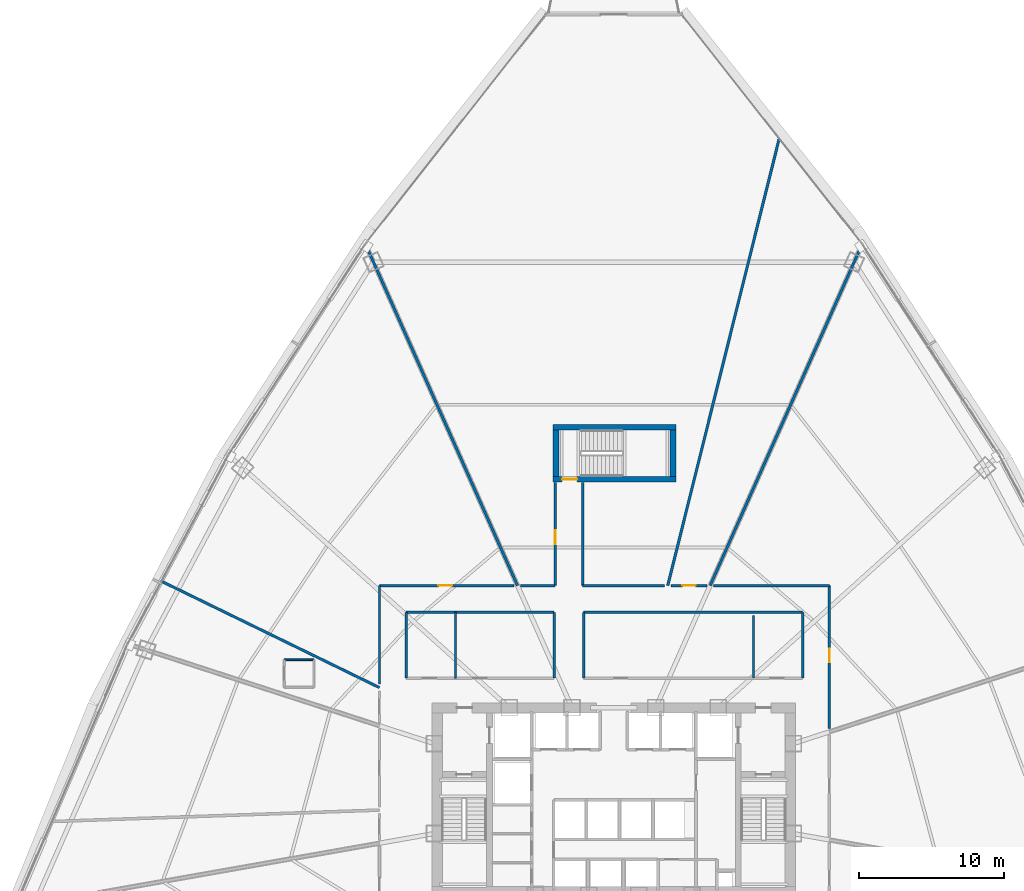
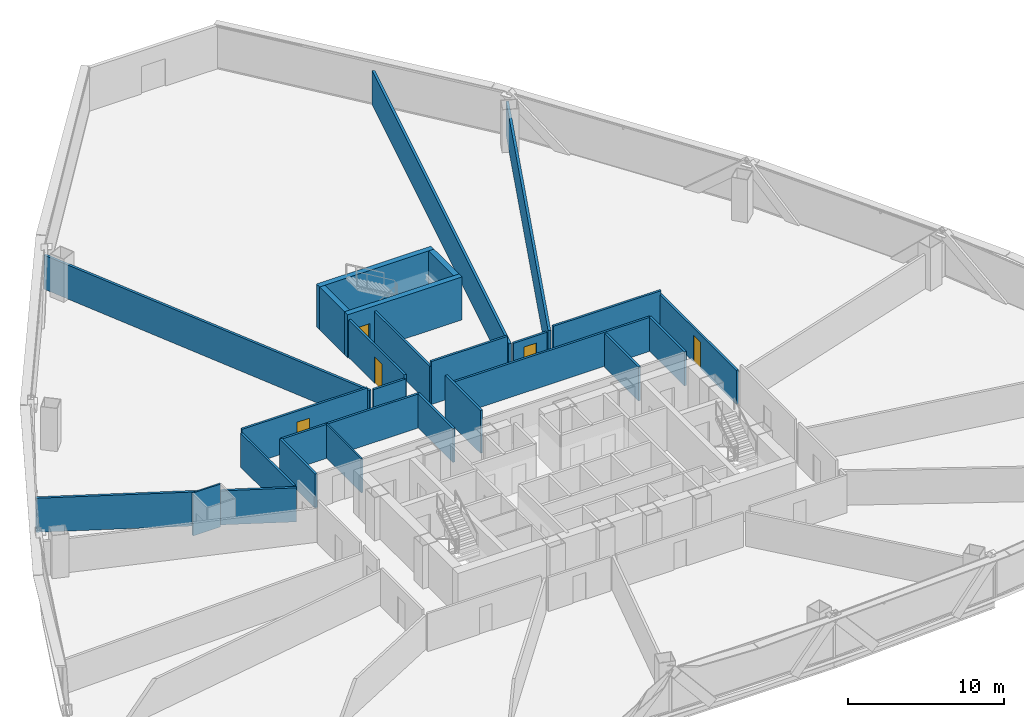
# One storey, part 31 of 37: 26 walls, 5 doors, 5 openings.
"""IFC4 building model written with IfcOpenShell, lengths in metres."""

from ifc_helpers import new_model, si_unit, direction, frame, frame_2d, origin, origin_with_axes, place, context, subcontext, project, spatial, rectangle, extrude, source, transform, mapped, material, layer, layer_set, type_object, element, fill, save


model = new_model("IFC4")

# Units and contexts
model_context = context("Model", 3, precision=1e-05, world=origin(), true_north=direction((0.0, 1.0)))
body_context = subcontext(model_context, "Body", "Model", "MODEL_VIEW")
ifc_project = project(units=[si_unit("LENGTHUNIT", "METRE"), si_unit("AREAUNIT", "SQUARE_METRE"), si_unit("VOLUMEUNIT", "CUBIC_METRE"), si_unit("PLANEANGLEUNIT", "RADIAN"), si_unit("MASSUNIT", "GRAM", prefix="KILO"), si_unit("THERMODYNAMICTEMPERATUREUNIT", "KELVIN"), si_unit("POWERUNIT", "WATT")], contexts=[model_context])

# Site, building, storey
site_placement = place(None, origin())
site = spatial("IfcSite", under=ifc_project, at=site_placement, CompositionType="ELEMENT")
building_placement = place(site_placement, origin())
building = spatial("IfcBuilding", under=site, at=building_placement, Name="Yunzhuo Pagoda Commons", CompositionType="ELEMENT")
storey_placement = place(building_placement, frame((0.0, 0.0, 59.43994140625)))
storey = spatial("IfcBuildingStorey", under=building, at=storey_placement, Name="L15", CompositionType="ELEMENT", Elevation=59.43994140625)

# Walls
ifc_material_1 = material(Name="Gypsum plasterboard on acoustic stud")
ifc_layer_1 = layer(ifc_material_1, 0.159912109375)
ifc_layer_set_1 = layer_set([ifc_layer_1], Name="Gypsum plasterboard on acoustic stud")
wall_type_1 = type_object("IfcWallType", Name="W-COR1 Tower Rated Corridor Wall 160", PredefinedType="PARTITIONING", material=ifc_layer_set_1)
wall_1_placement = place(storey_placement, frame((33.64990234375, 46.800048828125, 0.0), z_axis=(0.0, 0.0, 1.0), x_axis=(1.0, 0.0, 0.0)))
element("IfcWall", 1, at=wall_1_placement, inside=storey, type_object=wall_type_1, Name="L15 interior wall IW-L15-ISLWN", PredefinedType="PARTITIONING", context=body_context, shape_type="SweptSolid", body=[
    extrude(rectangle(XDim=10.22998046875, YDim=0.159912109375, at=frame_2d((5.114990234375, 0.0))), origin(), (0.0, 0.0, 1.0), 2.670166015625),
])
for number, where, z_axis, x_axis, name in (
    (2, (33.64990234375, 42.25, 0.0), (0.0, 0.0, 1.0), (0.0, 1.0, 0.0), "L15 interior wall IW-L15-ISLWW"),
    (3, (43.8798828125, 42.25, 0.0), (0.0, 0.0, 1.0), (0.0, 1.0, 0.0), "L15 interior wall IW-L15-ISLWE"),
):
    element("IfcWall", number, at=place(storey_placement, frame(where, z_axis=z_axis, x_axis=x_axis)), inside=storey, type_object=wall_type_1, Name=name, PredefinedType="PARTITIONING", context=body_context, shape_type="SweptSolid", body=[
        extrude(rectangle(XDim=4.550048828125, YDim=0.159912109375, at=frame_2d((2.27490234375, 0.0))), origin(), (0.0, 0.0, 1.0), 2.670166015625),
    ])
wall_2_placement = place(storey_placement, frame((45.919921875, 46.800048828125, 0.0), z_axis=(0.0, 0.0, 1.0), x_axis=(1.0, 0.0, 0.0)))
element("IfcWall", 4, at=wall_2_placement, inside=storey, type_object=wall_type_1, Name="L15 interior wall IW-L15-ISLEN", PredefinedType="PARTITIONING", context=body_context, shape_type="SweptSolid", body=[
    extrude(rectangle(XDim=15.130126953125, YDim=0.159912109375, at=frame_2d((7.56494140625, 0.0))), origin(), (0.0, 0.0, 1.0), 2.670166015625),
])
wall_3_placement = place(storey_placement, frame((45.919921875, 42.25, 0.0), z_axis=(0.0, 0.0, 1.0), x_axis=(0.0, 1.0, 0.0)))
element("IfcWall", 5, at=wall_3_placement, inside=storey, type_object=wall_type_1, Name="L15 interior wall IW-L15-ISLEW", PredefinedType="PARTITIONING", context=body_context, shape_type="SweptSolid", body=[
    extrude(rectangle(XDim=4.550048828125, YDim=0.159912109375, at=frame_2d((2.27490234375, 0.0))), origin(), (0.0, 0.0, 1.0), 3.3701171875),
])
wall_4_placement = place(storey_placement, frame((61.050048828125, 42.25, 0.0), z_axis=(0.0, 0.0, 1.0), x_axis=(0.0, 1.0, 0.0)))
element("IfcWall", 6, at=wall_4_placement, inside=storey, type_object=wall_type_1, Name="L15 interior wall IW-L15-ISLEE", PredefinedType="PARTITIONING", context=body_context, shape_type="SweptSolid", body=[
    extrude(rectangle(XDim=4.550048828125, YDim=0.159912109375, at=frame_2d((2.27490234375, 0.0))), origin(), (0.0, 0.0, 1.0), 2.670166015625),
])
wall_5_placement = place(storey_placement, frame((57.64990234375, 42.25, 0.0), z_axis=(0.0, 0.0, 1.0), x_axis=(0.0, 1.0, 0.0)))
element("IfcWall", 7, at=wall_5_placement, inside=storey, type_object=wall_type_1, Name="L15 interior wall IW-L15-ISL2W", PredefinedType="PARTITIONING", context=body_context, shape_type="SweptSolid", body=[
    extrude(rectangle(XDim=4.35009765625, YDim=0.159912109375, at=frame_2d((2.175048828125, 0.0))), origin(), (0.0, 0.0, 1.0), 2.670166015625),
])
wall_6_placement = place(storey_placement, frame((31.800048828125, 41.84619140625, 0.0), z_axis=(0.0, 0.0, 1.0), x_axis=(0.0, 1.0, 0.0)))
element("IfcWall", 8, at=wall_6_placement, inside=storey, type_object=wall_type_1, Name="L15 interior wall IW-L15-CWL05", PredefinedType="PARTITIONING", context=body_context, shape_type="SweptSolid", body=[
    extrude(rectangle(XDim=6.8037109375, YDim=0.159912109375, at=frame_2d((3.40185546875, 0.0))), origin(), (0.0, 0.0, 1.0), 2.670166015625),
])

# Wall, opening, door
wall_7_placement = place(storey_placement, frame((31.800048828125, 48.64990234375, 0.0), z_axis=(0.0, 0.0, 1.0), x_axis=(1.0, 0.0, 0.0)))
wall_7 = element("IfcWall", 9, at=wall_7_placement, inside=storey, type_object=wall_type_1, Name="L15 interior wall IW-L15-CWL06", PredefinedType="PARTITIONING", context=body_context, shape_type="SweptSolid", body=[
    extrude(rectangle(XDim=9.302978515625, YDim=0.159912109375, at=frame_2d((4.6513671875, 0.0))), origin(), (0.0, 0.0, 1.0), 2.969970703125),
])
opening_1_placement = place(wall_7_placement, frame((4.06689453125, 0.0, 0.0)))
opening_1 = element("IfcOpeningElement", 10, at=opening_1_placement, cuts=wall_7, Name="Opening D-06", PredefinedType="OPENING", context=body_context, shape_type="SweptSolid", body=[
    extrude(rectangle(XDim=0.949951171875, YDim=2.10009765625, at=frame_2d((0.47509765625, 1.050048828125))), frame((0.0, 0.08984375, 0.0), z_axis=(0.0, -1.0, 0.0), x_axis=(1.0, 0.0, 0.0)), (0.0, 0.0, 1.0), 0.179931640625),
])
ifc_material_2 = material(Name="Galvanized fire-resisting metal leaf")
door_type_1 = type_object("IfcDoorType", Name="D-06 Co-Living Suite Entrance Fire Door 950x2100", OperationType="NOTDEFINED", PredefinedType="DOOR", material=ifc_material_2)
shared_shape_1 = source(origin(), body_context, "Body", "SweptSolid", [
    extrude(rectangle(XDim=0.949951171875, YDim=2.10009765625, at=frame_2d((0.47509765625, 1.050048828125))), frame((0.0, 0.02490234375, 0.0), z_axis=(0.0, -1.0, 0.0), x_axis=(1.0, 0.0, 0.0)), (0.0, 0.0, 1.0), 0.050048828125),
])
door_1_placement = place(opening_1_placement, origin_with_axes())
door_1 = element("IfcDoor", 11, at=door_1_placement, inside=storey, type_object=door_type_1, Name="L15 Resident Co-Living Commons Hall door", OperationType="SINGLE_SWING_LEFT", OverallHeight=2.10009765625, OverallWidth=0.949951171875, PredefinedType="DOOR", context=body_context, shape_type="MappedRepresentation", body=[
    mapped(shared_shape_1, transform((0.0, 0.0, 0.0), scale=1.0)),
])
fill(opening_1, door_1)

# Wall
wall_8_placement = place(storey_placement, frame((41.563720703125, 48.64990234375, 0.0), z_axis=(0.0, 0.0, 1.0), x_axis=(1.0, 0.0, 0.0)))
element("IfcWall", 12, at=wall_8_placement, inside=storey, type_object=wall_type_1, Name="L15 interior wall IW-L15-CWL07", PredefinedType="PARTITIONING", context=body_context, shape_type="SweptSolid", body=[
    extrude(rectangle(XDim=2.38623046875, YDim=0.159912109375, at=frame_2d((1.193115234375, 0.0))), origin(), (0.0, 0.0, 1.0), 2.670166015625),
])

# Wall, opening, door
wall_9_placement = place(storey_placement, frame((43.949951171875, 48.64990234375, 0.0), z_axis=(0.0, 0.0, 1.0), x_axis=(0.0, 1.0, 0.0)))
wall_9 = element("IfcWall", 13, at=wall_9_placement, inside=storey, type_object=wall_type_1, Name="L15 interior wall IW-L15-CWL08", PredefinedType="PARTITIONING", context=body_context, shape_type="SweptSolid", body=[
    extrude(rectangle(XDim=7.130126953125, YDim=0.159912109375, at=frame_2d((3.56494140625, 0.0))), origin(), (0.0, 0.0, 1.0), 2.969970703125),
])
opening_2_placement = place(wall_9_placement, frame((2.860107421875, 0.0, 0.0)))
opening_2 = element("IfcOpeningElement", 14, at=opening_2_placement, cuts=wall_9, Name="Opening D-06", PredefinedType="OPENING", context=body_context, shape_type="SweptSolid", body=[
    extrude(rectangle(XDim=0.949951171875, YDim=2.10009765625, at=frame_2d((0.47509765625, 1.050048828125))), frame((0.0, 0.08984375, 0.0), z_axis=(0.0, -1.0, 0.0), x_axis=(1.0, 0.0, 0.0)), (0.0, 0.0, 1.0), 0.179931640625),
])
door_2_placement = place(opening_2_placement, origin_with_axes())
door_2 = element("IfcDoor", 15, at=door_2_placement, inside=storey, type_object=door_type_1, Name="L15 unit 04 entrance door", OperationType="SINGLE_SWING_RIGHT", OverallHeight=2.10009765625, OverallWidth=0.949951171875, PredefinedType="DOOR", context=body_context, shape_type="MappedRepresentation", body=[
    mapped(shared_shape_1, transform((0.0, 0.0, 0.0), scale=1.0)),
])
fill(opening_2, door_2)

# Walls
wall_10_placement = place(storey_placement, frame((45.85009765625, 55.780029296875, 0.0), z_axis=(0.0, 0.0, 1.0), x_axis=(0.0, -1.0, 0.0)))
element("IfcWall", 16, at=wall_10_placement, inside=storey, type_object=wall_type_1, Name="L15 interior wall IW-L15-CWL09", PredefinedType="PARTITIONING", context=body_context, shape_type="SweptSolid", body=[
    extrude(rectangle(XDim=7.130126953125, YDim=0.159912109375, at=frame_2d((3.56494140625, 0.0))), origin(), (0.0, 0.0, 1.0), 2.969970703125),
])
wall_11_placement = place(storey_placement, frame((45.85009765625, 48.64990234375, 0.0), z_axis=(0.0, 0.0, 1.0), x_axis=(1.0, 0.0, 0.0)))
element("IfcWall", 17, at=wall_11_placement, inside=storey, type_object=wall_type_1, Name="L15 interior wall IW-L15-CWL10", PredefinedType="PARTITIONING", context=body_context, shape_type="SweptSolid", body=[
    extrude(rectangle(XDim=5.65771484375, YDim=0.159912109375, at=frame_2d((2.828857421875, 0.0))), origin(), (0.0, 0.0, 1.0), 3.3701171875),
])

# Wall, opening, door
wall_12_placement = place(storey_placement, frame((51.9541015625, 48.64990234375, 0.0), z_axis=(0.0, 0.0, 1.0), x_axis=(1.0, 0.0, 0.0)))
wall_12 = element("IfcWall", 18, at=wall_12_placement, inside=storey, type_object=wall_type_1, Name="L15 interior wall IW-L15-CWL11", PredefinedType="PARTITIONING", context=body_context, shape_type="SweptSolid", body=[
    extrude(rectangle(XDim=2.482177734375, YDim=0.159912109375, at=frame_2d((1.2412109375, 0.0))), origin(), (0.0, 0.0, 1.0), 2.670166015625),
])
opening_3_placement = place(wall_12_placement, frame((0.777587890625, 0.0, 0.0)))
opening_3 = element("IfcOpeningElement", 19, at=opening_3_placement, cuts=wall_12, Name="Opening D-04", PredefinedType="OPENING", context=body_context, shape_type="SweptSolid", body=[
    extrude(rectangle(XDim=0.919921875, YDim=2.10009765625, at=frame_2d((0.4599609375, 1.050048828125))), frame((0.0, 0.08984375, 0.0), z_axis=(0.0, -1.0, 0.0), x_axis=(1.0, 0.0, 0.0)), (0.0, 0.0, 1.0), 0.179931640625),
])
ifc_material_3 = material(Name="Powder-coated aluminium and timber acoustic leaf", Category="wood")
door_type_2 = type_object("IfcDoorType", Name="D-04 Bedroom & Study Interior Door 920x2100", OperationType="NOTDEFINED", PredefinedType="DOOR", material=ifc_material_3)
shared_shape_2 = source(origin(), body_context, "Body", "SweptSolid", [
    extrude(rectangle(XDim=0.919921875, YDim=2.10009765625, at=frame_2d((0.4599609375, 1.050048828125))), frame((0.0, 0.02490234375, 0.0), z_axis=(0.0, -1.0, 0.0), x_axis=(1.0, 0.0, 0.0)), (0.0, 0.0, 1.0), 0.050048828125),
])
door_3_placement = place(opening_3_placement, origin_with_axes())
door_3 = element("IfcDoor", 20, at=door_3_placement, inside=storey, type_object=door_type_2, Name="L15 seminar room 03 door", OperationType="SINGLE_SWING_LEFT", OverallHeight=2.10009765625, OverallWidth=0.919921875, PredefinedType="DOOR", context=body_context, shape_type="MappedRepresentation", body=[
    mapped(shared_shape_2, transform((0.0, 0.0, 0.0), scale=1.0)),
])
fill(opening_3, door_3)

# Wall
wall_13_placement = place(storey_placement, frame((54.89697265625, 48.64990234375, 0.0), z_axis=(0.0, 0.0, 1.0), x_axis=(1.0, 0.0, 0.0)))
element("IfcWall", 21, at=wall_13_placement, inside=storey, type_object=wall_type_1, Name="L15 interior wall IW-L15-CWL12", PredefinedType="PARTITIONING", context=body_context, shape_type="SweptSolid", body=[
    extrude(rectangle(XDim=8.0029296875, YDim=0.159912109375, at=frame_2d((4.00146484375, 0.0))), origin(), (0.0, 0.0, 1.0), 2.969970703125),
])

# Wall, opening, door
wall_14_placement = place(storey_placement, frame((62.89990234375, 48.64990234375, 0.0), z_axis=(0.0, 0.0, 1.0), x_axis=(0.0, -1.0, 0.0)))
wall_14 = element("IfcWall", 22, at=wall_14_placement, inside=storey, type_object=wall_type_1, Name="L15 interior wall IW-L15-CWL13", PredefinedType="PARTITIONING", context=body_context, shape_type="SweptSolid", body=[
    extrude(rectangle(XDim=9.877197265625, YDim=0.159912109375, at=frame_2d((4.9384765625, 0.0))), origin(), (0.0, 0.0, 1.0), 2.670166015625),
])
opening_4_placement = place(wall_14_placement, frame((4.349365234375, 0.0, 0.0)))
opening_4 = element("IfcOpeningElement", 23, at=opening_4_placement, cuts=wall_14, Name="Opening D-06", PredefinedType="OPENING", context=body_context, shape_type="SweptSolid", body=[
    extrude(rectangle(XDim=0.949951171875, YDim=2.10009765625, at=frame_2d((0.47509765625, 1.050048828125))), frame((0.0, 0.08984375, 0.0), z_axis=(0.0, -1.0, 0.0), x_axis=(1.0, 0.0, 0.0)), (0.0, 0.0, 1.0), 0.179931640625),
])
door_4_placement = place(opening_4_placement, origin_with_axes())
door_4 = element("IfcDoor", 24, at=door_4_placement, inside=storey, type_object=door_type_1, Name="L15 Shared Resident Kitchen and Pantry door", OperationType="SINGLE_SWING_RIGHT", OverallHeight=2.10009765625, OverallWidth=0.949951171875, PredefinedType="DOOR", context=body_context, shape_type="MappedRepresentation", body=[
    mapped(shared_shape_1, transform((0.0, 0.0, 0.0), scale=1.0)),
])
fill(opening_4, door_4)

# Walls
ifc_layer_2 = layer(ifc_material_1, 0.1201171875)
ifc_layer_set_2 = layer_set([ifc_layer_2], Name="Gypsum plasterboard on acoustic stud")
wall_type_2 = type_object("IfcWallType", Name="W-PRT1 Suite & Bathroom Partition 120", PredefinedType="PARTITIONING", material=ifc_layer_set_2)
wall_15_placement = place(storey_placement, frame((37.050048828125, 42.25, 0.0), z_axis=(0.0, 0.0, 1.0), x_axis=(0.0, 1.0, 0.0)))
element("IfcWall", 25, at=wall_15_placement, inside=storey, type_object=wall_type_2, Name="L15 interior wall IW-L15-ISLW1", PredefinedType="PARTITIONING", context=body_context, shape_type="SweptSolid", body=[
    extrude(rectangle(XDim=4.550048828125, YDim=0.1201171875, at=frame_2d((2.27490234375, 0.0))), origin(), (0.0, 0.0, 1.0), 2.670166015625),
])
wall_16_placement = place(storey_placement, frame((27.26806640625, 43.531005859375, 0.0), z_axis=(0.0, 0.0, 1.0), x_axis=(-1.0, 0.0, 0.0)))
element("IfcWall", 26, at=wall_16_placement, inside=storey, type_object=wall_type_2, Name="L15 interior wall IW-L15-B06N", PredefinedType="PARTITIONING", context=body_context, shape_type="SweptSolid", body=[
    extrude(rectangle(XDim=2.050048828125, YDim=0.1201171875, at=frame_2d((1.02490234375, 0.0))), origin(), (0.0, 0.0, 1.0), 3.3701171875),
])
ifc_layer_3 = layer(ifc_material_1, 0.179931640625)
ifc_layer_set_3 = layer_set([ifc_layer_3], Name="Gypsum plasterboard on acoustic stud")
wall_type_3 = type_object("IfcWallType", Name="W-PRT2 Acoustic Unit Demising Wall 180", PredefinedType="PARTITIONING", material=ifc_layer_set_3)
wall_17_placement = place(storey_placement, frame((54.65625, 48.64990234375, 0.0), z_axis=(0.0, 0.0, 1.0), x_axis=(0.406729800422, 0.913548504158, 0.0)))
element("IfcWall", 27, at=wall_17_placement, inside=storey, type_object=wall_type_3, Name="L15 interior wall IW-L15-RAD02", PredefinedType="PARTITIONING", context=body_context, shape_type="SweptSolid", body=[
    extrude(rectangle(XDim=25.853515625, YDim=0.179931640625, at=frame_2d((12.9267578125, 0.0))), origin(), (0.0, 0.0, 1.0), 2.670166015625),
])
wall_18_placement = place(storey_placement, frame((51.7275390625, 48.64990234375, 0.0), z_axis=(0.0, 0.0, 1.0), x_axis=(0.241918895985, 0.970296474159, 0.0)))
element("IfcWall", 28, at=wall_18_placement, inside=storey, type_object=wall_type_3, Name="L15 interior wall IW-L15-RAD03", PredefinedType="PARTITIONING", context=body_context, shape_type="SweptSolid", body=[
    extrude(rectangle(XDim=31.85791015625, YDim=0.179931640625, at=frame_2d((15.928955078125, 0.0))), origin(), (0.0, 0.0, 1.0), 2.670166015625),
])
wall_19_placement = place(storey_placement, frame((41.34375, 48.64990234375, 0.0), z_axis=(0.0, 0.0, 1.0), x_axis=(-0.406729800422, 0.913548504158, 0.0)))
element("IfcWall", 29, at=wall_19_placement, inside=storey, type_object=wall_type_3, Name="L15 interior wall IW-L15-RAD04", PredefinedType="PARTITIONING", context=body_context, shape_type="SweptSolid", body=[
    extrude(rectangle(XDim=25.853515625, YDim=0.179931640625, at=frame_2d((12.9267578125, 0.0))), origin(), (0.0, 0.0, 1.0), 2.670166015625),
])
wall_20_placement = place(storey_placement, frame((31.800048828125, 41.601318359375, 0.0), z_axis=(0.0, 0.0, 1.0), x_axis=(-0.898795978277, 0.438367185625, 0.0)))
element("IfcWall", 30, at=wall_20_placement, inside=storey, type_object=wall_type_3, Name="L15 interior wall IW-L15-RAD05", PredefinedType="PARTITIONING", context=body_context, shape_type="SweptSolid", body=[
    extrude(rectangle(XDim=16.78759765625, YDim=0.179931640625, at=frame_2d((8.393798828125, 0.0))), origin(), (0.0, 0.0, 1.0), 2.670166015625),
])
ifc_material_4 = material(Name="Concrete C60", Category="concrete")
ifc_layer_4 = layer(ifc_material_4, 0.39990234375)
ifc_layer_set_4 = layer_set([ifc_layer_4], Name="Concrete C60")
wall_type_4 = type_object("IfcWallType", Name="W-S01 Internal Core Shear Web 400", PredefinedType="SHEAR", material=ifc_layer_set_4)
wall_21_placement = place(storey_placement, frame((43.800048828125, 59.60009765625, 0.0), z_axis=(0.0, 0.0, 1.0), x_axis=(1.0, 0.0, 0.0)))
element("IfcWall", 31, at=wall_21_placement, inside=storey, type_object=wall_type_4, Name="L15 ST3 structural stair wall N", PredefinedType="SHEAR", context=body_context, shape_type="SweptSolid", body=[
    extrude(rectangle(XDim=8.5, YDim=0.39990234375, at=frame_2d((4.25, 0.0))), origin(), (0.0, 0.0, 1.0), 3.3701171875),
])

# Wall, opening, door
wall_22_placement = place(storey_placement, frame((43.800048828125, 56.0, 0.0), z_axis=(0.0, 0.0, 1.0), x_axis=(1.0, 0.0, 0.0)))
wall_22 = element("IfcWall", 32, at=wall_22_placement, inside=storey, type_object=wall_type_4, Name="L15 ST3 structural stair wall S", PredefinedType="SHEAR", context=body_context, shape_type="SweptSolid", body=[
    extrude(rectangle(XDim=8.5, YDim=0.39990234375, at=frame_2d((4.25, 0.0))), origin(), (0.0, 0.0, 1.0), 3.3701171875),
])
opening_5_placement = place(wall_22_placement, frame((0.6201171875, 0.0, 0.0)))
opening_5 = element("IfcOpeningElement", 33, at=opening_5_placement, cuts=wall_22, Name="Opening D-01", PredefinedType="OPENING", context=body_context, shape_type="SweptSolid", body=[
    extrude(rectangle(XDim=1.050048828125, YDim=2.10009765625, at=frame_2d((0.52490234375, 1.050048828125))), frame((0.0, 0.2099609375, 0.0), z_axis=(0.0, -1.0, 0.0), x_axis=(1.0, 0.0, 0.0)), (0.0, 0.0, 1.0), 0.419921875),
])
door_type_3 = type_object("IfcDoorType", Name="D-01 Smokeproof Stair Fire Door 1050x2100", OperationType="NOTDEFINED", PredefinedType="DOOR", material=ifc_material_2)
shared_shape_3 = source(origin(), body_context, "Body", "SweptSolid", [
    extrude(rectangle(XDim=1.050048828125, YDim=2.10009765625, at=frame_2d((0.52490234375, 1.050048828125))), frame((0.0, 0.02490234375, 0.0), z_axis=(0.0, -1.0, 0.0), x_axis=(1.0, 0.0, 0.0)), (0.0, 0.0, 1.0), 0.050048828125),
])
door_5_placement = place(opening_5_placement, frame((1.050048828125, 0.0, 0.0), z_axis=(0.0, 0.0, 1.0), x_axis=(-1.0, 0.0, 0.0)))
door_5 = element("IfcDoor", 34, at=door_5_placement, inside=storey, type_object=door_type_3, Name="L15 Stair ST3 fire door", OperationType="SINGLE_SWING_LEFT", OverallHeight=2.10009765625, OverallWidth=1.050048828125, PredefinedType="DOOR", context=body_context, shape_type="MappedRepresentation", body=[
    mapped(shared_shape_3, transform((0.0, 0.0, 0.0), scale=1.0)),
])
fill(opening_5, door_5)

# Walls
for number, where, z_axis, x_axis, name in (
    (35, (44.0, 56.199951171875, 0.0), (0.0, 0.0, 1.0), (0.0, 1.0, 0.0), "L15 ST3 structural stair wall W"),
    (36, (52.10009765625, 56.199951171875, 0.0), (0.0, 0.0, 1.0), (0.0, 1.0, 0.0), "L15 ST3 structural stair wall E"),
):
    element("IfcWall", number, at=place(storey_placement, frame(where, z_axis=z_axis, x_axis=x_axis)), inside=storey, type_object=wall_type_4, Name=name, PredefinedType="SHEAR", context=body_context, shape_type="SweptSolid", body=[
        extrude(rectangle(XDim=3.199951171875, YDim=0.39990234375, at=frame_2d((1.60009765625, 0.0))), origin(), (0.0, 0.0, 1.0), 3.3701171875),
    ])

save(model, "model.ifc")
